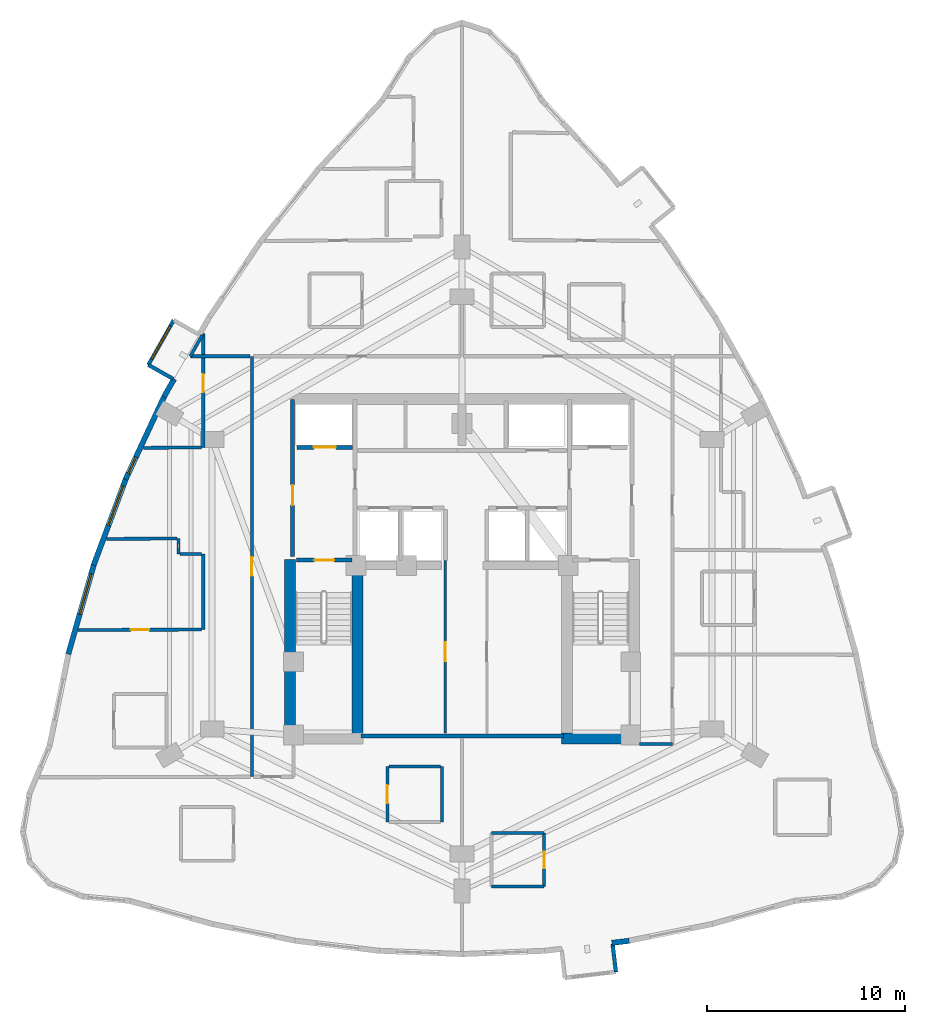
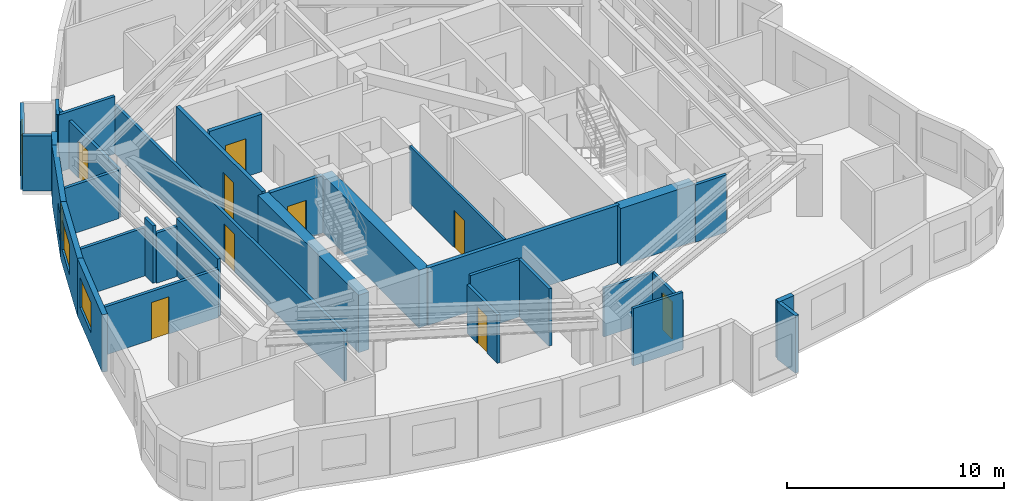
# One storey, part 7 of 12: 33 walls, 9 doors, 4 windows, 13 openings.
"""IFC4 building model written with IfcOpenShell, lengths in metres."""

from ifc_helpers import new_model, si_unit, direction, frame, frame_2d, origin, place, context, subcontext, project, spatial, rectangle, extrude, material, layer, layer_set, type_object, element, fill, save


model = new_model("IFC4")

# Units and contexts
model_context = context("Model", 3, precision=1e-05, world=origin(), true_north=direction((0.0, 1.0)))
body_context = subcontext(model_context, "Body", "Model", "MODEL_VIEW")
ifc_project = project(units=[si_unit("LENGTHUNIT", "METRE"), si_unit("AREAUNIT", "SQUARE_METRE"), si_unit("VOLUMEUNIT", "CUBIC_METRE"), si_unit("PLANEANGLEUNIT", "RADIAN"), si_unit("MASSUNIT", "GRAM", prefix="KILO")], contexts=[model_context])

# Site, building, storey
site_placement = place(None, origin())
site = spatial("IfcSite", under=ifc_project, at=site_placement, CompositionType="ELEMENT")
building_placement = place(site_placement, origin())
building = spatial("IfcBuilding", under=site, at=building_placement, Name="Miruveldt Soraemaru", CompositionType="ELEMENT")
storey_placement = place(building_placement, frame((0.0, 0.0, 110.89990234375)))
storey = spatial("IfcBuildingStorey", under=building, at=storey_placement, Name="L30", CompositionType="ELEMENT", Elevation=110.89990234375)

# Wall
ifc_material_1 = material(Name="White powder-coated aluminium EN AW-6060 T6", Category="aluminium")
ifc_layer_1 = layer(ifc_material_1, 0.18994140625, Name="White powder-coated aluminium EN AW-6060 T6", Category="aluminium")
ifc_layer_set_1 = layer_set([ifc_layer_1], Name="White powder-coated aluminium EN AW-6060 T6")
wall_type_1 = type_object("IfcWallType", Name="WALL-BAY-ALU190", PredefinedType="SOLIDWALL", material=ifc_layer_set_1)
wall_1_placement = place(storey_placement, frame((28.179931640625, 54.162109375, 0.0), z_axis=(0.0, 0.0, 1.0), x_axis=(0.869914393652, -0.493202745042, 0.0)))
element("IfcWall", 1, at=wall_1_placement, inside=storey, type_object=wall_type_1, Name="L30 Bay Window Side Cheek 4R", PredefinedType="SOLIDWALL", context=body_context, shape_type="SweptSolid", body=[
    extrude(rectangle(XDim=1.425048828125, YDim=0.18994140625, at=frame_2d((0.71240234375, 0.0))), origin(), (0.0, 0.0, 1.0), 3.085205078125),
])

# Wall, opening, window
wall_2_placement = place(storey_placement, frame((29.462646484375, 56.423828125, 0.0), z_axis=(0.0, 0.0, 1.0), x_axis=(-0.493325260824, -0.869844921255, 0.0)))
wall_2 = element("IfcWall", 2, at=wall_2_placement, inside=storey, type_object=wall_type_1, Name="L30 Bay Window Front Frame 4", PredefinedType="SOLIDWALL", context=body_context, shape_type="SweptSolid", body=[
    extrude(rectangle(XDim=2.60009765625, YDim=0.18994140625, at=frame_2d((1.300048828125, 0.0))), origin(), (0.0, 0.0, 1.0), 3.085205078125),
])
opening_1_placement = place(wall_2_placement, frame((0.35009765625, 0.0, 0.550048828125)))
opening_1 = element("IfcOpeningElement", 3, at=opening_1_placement, cuts=wall_2, Name="Opening WN-6", PredefinedType="OPENING", context=body_context, shape_type="SweptSolid", body=[
    extrude(rectangle(XDim=1.89990234375, YDim=1.85009765625, at=frame_2d((0.949951171875, 0.925048828125))), frame((0.0, 0.10498046875, 0.0), z_axis=(0.0, -1.0, 0.0), x_axis=(1.0, 0.0, 0.0)), (0.0, 0.0, 1.0), 0.2099609375),
])
ifc_material_2 = material(Name="Triple low-e insulated glazing", Category="glass")
window_type_1 = type_object("IfcWindowType", Name="WIN-BAYW-1900x1850", PartitioningType="SINGLE_PANEL", PredefinedType="WINDOW", material=ifc_material_2)
window_1_placement = place(opening_1_placement, origin())
window_1 = element("IfcWindow", 4, at=window_1_placement, inside=storey, type_object=window_type_1, Name="L30 Projecting Bay Window 4", OverallHeight=1.85009765625, OverallWidth=1.89990234375, PartitioningType="SINGLE_PANEL", PredefinedType="WINDOW", context=body_context, shape_type="SweptSolid", body=[
    extrude(rectangle(XDim=1.89990234375, YDim=1.85009765625, at=frame_2d((0.949951171875, 0.925048828125))), frame((0.0, 0.030029296875, 0.0), z_axis=(0.0, -1.0, 0.0), x_axis=(1.0, 0.0, 0.0)), (0.0, 0.0, 1.0), 0.06005859375),
])
fill(opening_1, window_1)

# Walls
wall_3_placement = place(storey_placement, frame((51.755615234375, 23.561279296875, 0.0), z_axis=(0.0, 0.0, 1.0), x_axis=(-0.119057405757, 0.992887372331, 0.0)))
element("IfcWall", 5, at=wall_3_placement, inside=storey, type_object=wall_type_1, Name="L30 Bay Window Side Cheek 1R", PredefinedType="SOLIDWALL", context=body_context, shape_type="SweptSolid", body=[
    extrude(rectangle(XDim=1.42529296875, YDim=0.18994140625, at=frame_2d((0.712646484375, 0.0))), origin(), (0.0, 0.0, 1.0), 3.235107421875),
])
ifc_material_3 = material(Name="Concrete C70/85 (70 MPa)", Category="concrete")
ifc_layer_2 = layer(ifc_material_3, 0.550048828125, Name="Concrete C70/85 (70 MPa)", Category="concrete")
ifc_layer_set_2 = layer_set([ifc_layer_2], Name="Concrete C70/85 (70 MPa)")
wall_type_2 = type_object("IfcWallType", Name="WALL-CW-550", PredefinedType="SHEAR", material=ifc_layer_set_2)
wall_4_placement = place(storey_placement, frame((49.0, 35.324951171875, 0.0), z_axis=(0.0, 0.0, 1.0), x_axis=(1.0, 0.0, 0.0)))
element("IfcWall", 6, at=wall_4_placement, inside=storey, type_object=wall_type_2, Name="L30 Central Core Shear Wall S2", PredefinedType="SHEAR", context=body_context, shape_type="SweptSolid", body=[
    extrude(rectangle(XDim=3.949951171875, YDim=0.550048828125, at=frame_2d((1.97509765625, 0.0))), origin(), (0.0, 0.0, 1.0), 3.235107421875),
])
wall_5_placement = place(storey_placement, frame((35.324951171875, 35.050048828125, 0.0), z_axis=(0.0, 0.0, 1.0), x_axis=(0.0, 1.0, 0.0)))
element("IfcWall", 7, at=wall_5_placement, inside=storey, type_object=wall_type_2, Name="L30 Central Core Shear Wall W1", PredefinedType="SHEAR", context=body_context, shape_type="SweptSolid", body=[
    extrude(rectangle(XDim=9.300048828125, YDim=0.550048828125, at=frame_2d((4.64990234375, 0.0))), origin(), (0.0, 0.0, 1.0), 3.235107421875),
])
wall_6_placement = place(storey_placement, frame((38.72509765625, 35.39990234375, 0.0), z_axis=(0.0, 0.0, 1.0), x_axis=(0.0, 1.0, 0.0)))
element("IfcWall", 8, at=wall_6_placement, inside=storey, type_object=wall_type_2, Name="L30 Central Core Shear Wall SW-INT", PredefinedType="SHEAR", context=body_context, shape_type="SweptSolid", body=[
    extrude(rectangle(XDim=8.9501953125, YDim=0.550048828125, at=frame_2d((4.47509765625, 0.0))), origin(), (0.0, 0.0, 1.0), 3.235107421875),
])
ifc_material_4 = material(Name="Precast concrete C45/55 (45 MPa)", Category="concrete")
ifc_layer_3 = layer(ifc_material_4, 0.27001953125, Name="Precast concrete C45/55 (45 MPa)", Category="concrete")
ifc_layer_set_3 = layer_set([ifc_layer_3], Name="Precast concrete C45/55 (45 MPa)")
wall_type_3 = type_object("IfcWallType", Name="WALL-EXT-PC270", PredefinedType="SOLIDWALL", material=ifc_layer_set_3)
wall_7_placement = place(storey_placement, frame((29.482177734375, 53.458251953125, 0.0), z_axis=(0.0, 0.0, 1.0), x_axis=(-0.493468236587, -0.869763818217, 0.0)))
element("IfcWall", 9, at=wall_7_placement, inside=storey, type_object=wall_type_3, Name="L30 Precast Pier Wall 10B", PredefinedType="SOLIDWALL", context=body_context, shape_type="SweptSolid", body=[
    extrude(rectangle(XDim=1.05419921875, YDim=0.27001953125, at=frame_2d((0.527099609375, 0.0))), origin(), (0.0, 0.0, 1.0), 3.235107421875),
])

# Wall, opening, window
wall_8_placement = place(storey_placement, frame((28.994140625, 52.603271484375, 0.0), z_axis=(0.0, 0.0, 1.0), x_axis=(-0.422316092013, -0.906448629778, 0.0)))
wall_8 = element("IfcWall", 10, at=wall_8_placement, inside=storey, type_object=wall_type_3, Name="L30 Precast Concrete Facade Wall 11", PredefinedType="SOLIDWALL", context=body_context, shape_type="SweptSolid", body=[
    extrude(rectangle(XDim=4.6484375, YDim=0.27001953125, at=frame_2d((2.32421875, 0.0))), origin(), (0.0, 0.0, 1.0), 3.235107421875),
])
opening_2_placement = place(wall_8_placement, frame((3.407958984375, 0.0, 0.780029296875)))
opening_2 = element("IfcOpeningElement", 11, at=opening_2_placement, cuts=wall_8, Name="Opening WN-7", PredefinedType="OPENING", context=body_context, shape_type="SweptSolid", body=[
    extrude(rectangle(XDim=0.89990234375, YDim=1.5, at=frame_2d((0.449951171875, 0.75))), frame((0.0, 0.14501953125, 0.0), z_axis=(0.0, -1.0, 0.0), x_axis=(1.0, 0.0, 0.0)), (0.0, 0.0, 1.0), 0.2900390625),
])
window_type_2 = type_object("IfcWindowType", Name="WIN-PUNCH-900x1500", PartitioningType="SINGLE_PANEL", PredefinedType="WINDOW", material=ifc_material_2)
window_2_placement = place(opening_2_placement, origin())
window_2 = element("IfcWindow", 12, at=window_2_placement, inside=storey, type_object=window_type_2, Name="L30 Punched Triple-Glazed Window 11.1", OverallHeight=1.5, OverallWidth=0.89990234375, PartitioningType="SINGLE_PANEL", PredefinedType="WINDOW", context=body_context, shape_type="SweptSolid", body=[
    extrude(rectangle(XDim=0.89990234375, YDim=1.5, at=frame_2d((0.449951171875, 0.75))), frame((0.0, 0.030029296875, 0.0), z_axis=(0.0, -1.0, 0.0), x_axis=(1.0, 0.0, 0.0)), (0.0, 0.0, 1.0), 0.06005859375),
])
fill(opening_2, window_2)

wall_9_placement = place(storey_placement, frame((27.057861328125, 48.4541015625, 0.0), z_axis=(0.0, 0.0, 1.0), x_axis=(-0.34901196631, -0.937118267548, 0.0)))
wall_9 = element("IfcWall", 13, at=wall_9_placement, inside=storey, type_object=wall_type_3, Name="L30 Precast Concrete Facade Wall 12", PredefinedType="SOLIDWALL", context=body_context, shape_type="SweptSolid", body=[
    extrude(rectangle(XDim=4.677734375, YDim=0.27001953125, at=frame_2d((2.3388671875, 0.0))), origin(), (0.0, 0.0, 1.0), 3.235107421875),
])
opening_3_placement = place(wall_9_placement, frame((0.43798828125, 0.0, 0.800048828125)))
opening_3 = element("IfcOpeningElement", 14, at=opening_3_placement, cuts=wall_9, Name="Opening WN-1", PredefinedType="OPENING", context=body_context, shape_type="SweptSolid", body=[
    extrude(rectangle(XDim=2.10009765625, YDim=1.699951171875, at=frame_2d((1.050048828125, 0.85009765625))), frame((0.0, 0.14501953125, 0.0), z_axis=(0.0, -1.0, 0.0), x_axis=(1.0, 0.0, 0.0)), (0.0, 0.0, 1.0), 0.2900390625),
])
window_type_3 = type_object("IfcWindowType", Name="WIN-PUNCH-2100x1700", PartitioningType="SINGLE_PANEL", PredefinedType="WINDOW", material=ifc_material_2)
window_3_placement = place(opening_3_placement, origin())
window_3 = element("IfcWindow", 15, at=window_3_placement, inside=storey, type_object=window_type_3, Name="L30 Punched Triple-Glazed Window 12.1", OverallHeight=1.699951171875, OverallWidth=2.10009765625, PartitioningType="SINGLE_PANEL", PredefinedType="WINDOW", context=body_context, shape_type="SweptSolid", body=[
    extrude(rectangle(XDim=2.10009765625, YDim=1.699951171875, at=frame_2d((1.050048828125, 0.85009765625))), frame((0.0, 0.030029296875, 0.0), z_axis=(0.0, -1.0, 0.0), x_axis=(1.0, 0.0, 0.0)), (0.0, 0.0, 1.0), 0.06005859375),
])
fill(opening_3, window_3)

wall_10_placement = place(storey_placement, frame((25.447021484375, 44.13720703125, 0.0), z_axis=(0.0, 0.0, 1.0), x_axis=(-0.274932196805, -0.961463617179, 0.0)))
wall_10 = element("IfcWall", 16, at=wall_10_placement, inside=storey, type_object=wall_type_3, Name="L30 Precast Concrete Facade Wall 13", PredefinedType="SOLIDWALL", context=body_context, shape_type="SweptSolid", body=[
    extrude(rectangle(XDim=4.73583984375, YDim=0.27001953125, at=frame_2d((2.367919921875, 0.0))), origin(), (0.0, 0.0, 1.0), 3.235107421875),
])
opening_4_placement = place(wall_10_placement, frame((0.5439453125, 0.0, 0.800048828125)))
opening_4 = element("IfcOpeningElement", 17, at=opening_4_placement, cuts=wall_10, Name="Opening WN-1", PredefinedType="OPENING", context=body_context, shape_type="SweptSolid", body=[
    extrude(rectangle(XDim=2.10009765625, YDim=1.699951171875, at=frame_2d((1.050048828125, 0.85009765625))), frame((0.0, 0.14501953125, 0.0), z_axis=(0.0, -1.0, 0.0), x_axis=(1.0, 0.0, 0.0)), (0.0, 0.0, 1.0), 0.2900390625),
])
window_4_placement = place(opening_4_placement, origin())
window_4 = element("IfcWindow", 18, at=window_4_placement, inside=storey, type_object=window_type_3, Name="L30 Punched Triple-Glazed Window 13.1", OverallHeight=1.699951171875, OverallWidth=2.10009765625, PartitioningType="SINGLE_PANEL", PredefinedType="WINDOW", context=body_context, shape_type="SweptSolid", body=[
    extrude(rectangle(XDim=2.10009765625, YDim=1.699951171875, at=frame_2d((1.050048828125, 0.85009765625))), frame((0.0, 0.030029296875, 0.0), z_axis=(0.0, -1.0, 0.0), x_axis=(1.0, 0.0, 0.0)), (0.0, 0.0, 1.0), 0.06005859375),
])
fill(opening_4, window_4)

# Wall
wall_11_placement = place(storey_placement, frame((51.549560546875, 25.02734375, 0.0), z_axis=(0.0, 0.0, 1.0), x_axis=(0.992866288906, 0.119233100912, 0.0)))
element("IfcWall", 19, at=wall_11_placement, inside=storey, type_object=wall_type_3, Name="L30 Precast Pier Wall 26B", PredefinedType="SOLIDWALL", context=body_context, shape_type="SweptSolid", body=[
    extrude(rectangle(XDim=0.87646484375, YDim=0.27001953125, at=frame_2d((0.438232421875, 0.0))), origin(), (0.0, 0.0, 1.0), 3.235107421875),
])

# Wall, opening, door
ifc_material_5 = material(Name="Gypsum plasterboard lining", Category="gypsum")
ifc_layer_4 = layer(ifc_material_5, 0.1201171875, Name="Gypsum plasterboard lining", Category="gypsum")
ifc_layer_set_4 = layer_set([ifc_layer_4], Name="Gypsum plasterboard lining")
wall_type_4 = type_object("IfcWallType", Name="WALL-INT-P120", PredefinedType="PARTITIONING", material=ifc_layer_set_4)
wall_12_placement = place(storey_placement, frame((43.14990234375, 35.60009765625, 0.0), z_axis=(0.0, 0.0, 1.0), x_axis=(0.0, 1.0, 0.0)))
wall_12 = element("IfcWall", 20, at=wall_12_placement, inside=storey, type_object=wall_type_4, Name="L30 Core Compartment Wall SP-WL", PredefinedType="PARTITIONING", context=body_context, shape_type="SweptSolid", body=[
    extrude(rectangle(XDim=8.699951171875, YDim=0.1201171875, at=frame_2d((4.35009765625, 0.0))), origin(), (0.0, 0.0, 1.0), 3.235107421875),
])
opening_5_placement = place(wall_12_placement, frame((3.625, 0.0, 0.0)))
opening_5 = element("IfcOpeningElement", 21, at=opening_5_placement, cuts=wall_12, Name="Opening D2", PredefinedType="OPENING", context=body_context, shape_type="SweptSolid", body=[
    extrude(rectangle(XDim=0.949951171875, YDim=2.10009765625, at=frame_2d((0.47509765625, 1.050048828125))), frame((0.0, 0.070068359375, 0.0), z_axis=(0.0, -1.0, 0.0), x_axis=(1.0, 0.0, 0.0)), (0.0, 0.0, 1.0), 0.14013671875),
])
ifc_material_6 = material(Name="Anodised aluminium EN AW-6063 T6", Category="aluminium")
door_type_1 = type_object("IfcDoorType", Name="DOOR-INT-950", OperationType="NOTDEFINED", PredefinedType="DOOR", material=ifc_material_6)
door_1_placement = place(opening_5_placement, origin())
door_1 = element("IfcDoor", 22, at=door_1_placement, inside=storey, type_object=door_type_1, Name="L30 Fire Door", OperationType="SINGLE_SWING_LEFT", OverallHeight=2.10009765625, OverallWidth=0.949951171875, PredefinedType="DOOR", context=body_context, shape_type="SweptSolid", body=[
    extrude(rectangle(XDim=0.949951171875, YDim=2.10009765625, at=frame_2d((0.47509765625, 1.050048828125))), frame((0.0, 0.02490234375, 0.0), z_axis=(0.0, -1.0, 0.0), x_axis=(1.0, 0.0, 0.0)), (0.0, 0.0, 1.0), 0.050048828125),
])
fill(opening_5, door_1)

ifc_layer_5 = layer(ifc_material_5, 0.14990234375, Name="Gypsum plasterboard lining", Category="gypsum")
ifc_layer_set_5 = layer_set([ifc_layer_5], Name="Gypsum plasterboard lining")
wall_type_5 = type_object("IfcWallType", Name="WALL-INT-PLUMB", PredefinedType="PLUMBINGWALL", material=ifc_layer_set_5)
wall_13_placement = place(storey_placement, frame((48.1298828125, 27.868896484375, 0.0), z_axis=(0.0, 0.0, 1.0), x_axis=(0.0, 1.0, 0.0)))
wall_13 = element("IfcWall", 23, at=wall_13_placement, inside=storey, type_object=wall_type_5, Name="L30 Partition Wall 49", PredefinedType="PLUMBINGWALL", context=body_context, shape_type="SweptSolid", body=[
    extrude(rectangle(XDim=2.7001953125, YDim=0.14990234375, at=frame_2d((1.35009765625, 0.0))), origin(), (0.0, 0.0, 1.0), 2.72314453125),
])
opening_6_placement = place(wall_13_placement, frame((0.909912109375, 0.0, 0.0)))
opening_6 = element("IfcOpeningElement", 24, at=opening_6_placement, cuts=wall_13, Name="Opening FD3", PredefinedType="OPENING", context=body_context, shape_type="SweptSolid", body=[
    extrude(rectangle(XDim=0.85009765625, YDim=2.10009765625, at=frame_2d((0.425048828125, 1.050048828125))), frame((0.0, 0.0849609375, 0.0), z_axis=(0.0, -1.0, 0.0), x_axis=(1.0, 0.0, 0.0)), (0.0, 0.0, 1.0), 0.169921875),
])
door_type_2 = type_object("IfcDoorType", Name="DOOR-FD3-850", OperationType="NOTDEFINED", PredefinedType="DOOR", material=ifc_material_6)
door_2_placement = place(opening_6_placement, origin())
door_2 = element("IfcDoor", 25, at=door_2_placement, inside=storey, type_object=door_type_2, Name="L30 Unit CL04 BTH Door", OperationType="SINGLE_SWING_LEFT", OverallHeight=2.10009765625, OverallWidth=0.85009765625, PredefinedType="DOOR", context=body_context, shape_type="SweptSolid", body=[
    extrude(rectangle(XDim=0.85009765625, YDim=2.10009765625, at=frame_2d((0.425048828125, 1.050048828125))), frame((0.0, 0.02490234375, 0.0), z_axis=(0.0, -1.0, 0.0), x_axis=(1.0, 0.0, 0.0)), (0.0, 0.0, 1.0), 0.050048828125),
])
fill(opening_6, door_2)

# Walls
wall_14_placement = place(storey_placement, frame((48.1298828125, 30.569091796875, 0.0), z_axis=(0.0, 0.0, 1.0), x_axis=(-1.0, 0.0, 0.0)))
element("IfcWall", 26, at=wall_14_placement, inside=storey, type_object=wall_type_5, Name="L30 Partition Wall 50", PredefinedType="PLUMBINGWALL", context=body_context, shape_type="SweptSolid", body=[
    extrude(rectangle(XDim=2.64990234375, YDim=0.14990234375, at=frame_2d((1.324951171875, 0.0))), origin(), (0.0, 0.0, 1.0), 2.735107421875),
])
wall_15_placement = place(storey_placement, frame((45.47998046875, 27.868896484375, 0.0), z_axis=(0.0, 0.0, 1.0), x_axis=(1.0, 0.0, 0.0)))
element("IfcWall", 27, at=wall_15_placement, inside=storey, type_object=wall_type_5, Name="L30 Partition Wall 52", PredefinedType="PLUMBINGWALL", context=body_context, shape_type="SweptSolid", body=[
    extrude(rectangle(XDim=2.64990234375, YDim=0.14990234375, at=frame_2d((1.324951171875, 0.0))), origin(), (0.0, 0.0, 1.0), 3.235107421875),
])

# Wall, opening, door
ifc_material_7 = material(Name="Concrete C40/50 (40 MPa)", Category="concrete")
ifc_layer_6 = layer(ifc_material_7, 0.159912109375, Name="Concrete C40/50 (40 MPa)", Category="concrete")
ifc_layer_set_6 = layer_set([ifc_layer_6], Name="Concrete C40/50 (40 MPa)")
wall_type_6 = type_object("IfcWallType", Name="WALL-INT-RC160", PredefinedType="SOLIDWALL", material=ifc_layer_set_6)
wall_16_placement = place(storey_placement, frame((33.39990234375, 54.595947265625, 0.0), z_axis=(0.0, 0.0, 1.0), x_axis=(0.0, -1.0, 0.0)))
wall_16 = element("IfcWall", 28, at=wall_16_placement, inside=storey, type_object=wall_type_6, Name="L30 Partition Wall 3", PredefinedType="SOLIDWALL", context=body_context, shape_type="SweptSolid", body=[
    extrude(rectangle(XDim=21.19189453125, YDim=0.159912109375, at=frame_2d((10.595947265625, 0.0))), origin(), (0.0, 0.0, 1.0), 2.72314453125),
])
opening_7_placement = place(wall_16_placement, frame((10.12109375, 0.0, 0.0)))
opening_7 = element("IfcOpeningElement", 29, at=opening_7_placement, cuts=wall_16, Name="Opening FD2", PredefinedType="OPENING", context=body_context, shape_type="SweptSolid", body=[
    extrude(rectangle(XDim=0.949951171875, YDim=2.14990234375, at=frame_2d((0.47509765625, 1.074951171875))), frame((0.0, 0.08984375, 0.0), z_axis=(0.0, -1.0, 0.0), x_axis=(1.0, 0.0, 0.0)), (0.0, 0.0, 1.0), 0.179931640625),
])
door_type_3 = type_object("IfcDoorType", Name="DOOR-FD2-950", OperationType="NOTDEFINED", PredefinedType="DOOR", material=ifc_material_6)
door_3_placement = place(opening_7_placement, origin())
door_3 = element("IfcDoor", 30, at=door_3_placement, inside=storey, type_object=door_type_3, Name="L30 Unit 3003 Entrance Fire Door", OperationType="SINGLE_SWING_RIGHT", OverallHeight=2.14990234375, OverallWidth=0.949951171875, PredefinedType="DOOR", context=body_context, shape_type="SweptSolid", body=[
    extrude(rectangle(XDim=0.949951171875, YDim=2.14990234375, at=frame_2d((0.47509765625, 1.074951171875))), frame((0.0, 0.02490234375, 0.0), z_axis=(0.0, -1.0, 0.0), x_axis=(1.0, 0.0, 0.0)), (0.0, 0.0, 1.0), 0.050048828125),
])
fill(opening_7, door_3)

wall_17_placement = place(storey_placement, frame((30.8701171875, 40.820068359375, 0.0), z_axis=(0.0, 0.0, 1.0), x_axis=(-0.999995315221, -0.003060969884, 0.0)))
wall_17 = element("IfcWall", 31, at=wall_17_placement, inside=storey, type_object=wall_type_6, Name="L30 Partition Wall 45", PredefinedType="SOLIDWALL", context=body_context, shape_type="SweptSolid", body=[
    extrude(rectangle(XDim=6.22119140625, YDim=0.159912109375, at=frame_2d((3.110595703125, 0.0))), origin(), (0.0, 0.0, 1.0), 2.72314453125),
])
opening_8_placement = place(wall_17_placement, frame((2.65087890625, 0.0, 0.0)))
opening_8 = element("IfcOpeningElement", 32, at=opening_8_placement, cuts=wall_17, Name="Opening D3A", PredefinedType="OPENING", context=body_context, shape_type="SweptSolid", body=[
    extrude(rectangle(XDim=0.919921875, YDim=2.10009765625, at=frame_2d((0.4599609375, 1.050048828125))), frame((0.0, 0.08984375, 0.0), z_axis=(0.0, -1.0, 0.0), x_axis=(1.0, 0.0, 0.0)), (0.0, 0.0, 1.0), 0.179931640625),
])
door_type_4 = type_object("IfcDoorType", Name="DOOR-INT-920", OperationType="NOTDEFINED", PredefinedType="DOOR", material=ifc_material_6)
door_4_placement = place(opening_8_placement, origin())
door_4 = element("IfcDoor", 33, at=door_4_placement, inside=storey, type_object=door_type_4, Name="L30 Unit 3003 BD1 Door", OperationType="SINGLE_SWING_RIGHT", OverallHeight=2.10009765625, OverallWidth=0.919921875, PredefinedType="DOOR", context=body_context, shape_type="SweptSolid", body=[
    extrude(rectangle(XDim=0.919921875, YDim=2.10009765625, at=frame_2d((0.4599609375, 1.050048828125))), frame((0.0, 0.02490234375, 0.0), z_axis=(0.0, -1.0, 0.0), x_axis=(1.0, 0.0, 0.0)), (0.0, 0.0, 1.0), 0.050048828125),
])
fill(opening_8, door_4)

wall_18_placement = place(storey_placement, frame((30.949951171875, 55.741943359375, 0.0), z_axis=(0.0, 0.0, 1.0), x_axis=(0.0, -1.0, 0.0)))
wall_18 = element("IfcWall", 34, at=wall_18_placement, inside=storey, type_object=wall_type_6, Name="L30 Partition Wall 46", PredefinedType="SOLIDWALL", context=body_context, shape_type="SweptSolid", body=[
    extrude(rectangle(XDim=5.73486328125, YDim=0.159912109375, at=frame_2d((2.867431640625, 0.0))), origin(), (0.0, 0.0, 1.0), 2.72314453125),
])
opening_9_placement = place(wall_18_placement, frame((2.047119140625, 0.0, 0.0)))
opening_9 = element("IfcOpeningElement", 35, at=opening_9_placement, cuts=wall_18, Name="Opening D3A", PredefinedType="OPENING", context=body_context, shape_type="SweptSolid", body=[
    extrude(rectangle(XDim=0.919921875, YDim=2.10009765625, at=frame_2d((0.4599609375, 1.050048828125))), frame((0.0, 0.08984375, 0.0), z_axis=(0.0, -1.0, 0.0), x_axis=(1.0, 0.0, 0.0)), (0.0, 0.0, 1.0), 0.179931640625),
])
door_5_placement = place(opening_9_placement, origin())
door_5 = element("IfcDoor", 36, at=door_5_placement, inside=storey, type_object=door_type_4, Name="L30 Unit 3003 EXT Door", OperationType="SINGLE_SWING_LEFT", OverallHeight=2.10009765625, OverallWidth=0.919921875, PredefinedType="DOOR", context=body_context, shape_type="SweptSolid", body=[
    extrude(rectangle(XDim=0.919921875, YDim=2.10009765625, at=frame_2d((0.4599609375, 1.050048828125))), frame((0.0, 0.02490234375, 0.0), z_axis=(0.0, -1.0, 0.0), x_axis=(1.0, 0.0, 0.0)), (0.0, 0.0, 1.0), 0.050048828125),
])
fill(opening_9, door_5)

wall_19_placement = place(storey_placement, frame((40.23193359375, 33.9189453125, 0.0), z_axis=(0.0, 0.0, 1.0), x_axis=(0.0, -1.0, 0.0)))
wall_19 = element("IfcWall", 37, at=wall_19_placement, inside=storey, type_object=wall_type_6, Name="L30 Partition Wall 72", PredefinedType="SOLIDWALL", context=body_context, shape_type="SweptSolid", body=[
    extrude(rectangle(XDim=2.800048828125, YDim=0.159912109375, at=frame_2d((1.39990234375, 0.0))), origin(), (0.0, 0.0, 1.0), 2.735107421875),
])
opening_10_placement = place(wall_19_placement, frame((0.93994140625, 0.0, 0.0)))
opening_10 = element("IfcOpeningElement", 38, at=opening_10_placement, cuts=wall_19, Name="Opening D3A", PredefinedType="OPENING", context=body_context, shape_type="SweptSolid", body=[
    extrude(rectangle(XDim=0.919921875, YDim=2.10009765625, at=frame_2d((0.4599609375, 1.050048828125))), frame((0.0, 0.08984375, 0.0), z_axis=(0.0, -1.0, 0.0), x_axis=(1.0, 0.0, 0.0)), (0.0, 0.0, 1.0), 0.179931640625),
])
door_6_placement = place(opening_10_placement, origin())
door_6 = element("IfcDoor", 39, at=door_6_placement, inside=storey, type_object=door_type_4, Name="L30 Unit CL06 KIT Door", OperationType="SINGLE_SWING_RIGHT", OverallHeight=2.10009765625, OverallWidth=0.919921875, PredefinedType="DOOR", context=body_context, shape_type="SweptSolid", body=[
    extrude(rectangle(XDim=0.919921875, YDim=2.10009765625, at=frame_2d((0.4599609375, 1.050048828125))), frame((0.0, 0.02490234375, 0.0), z_axis=(0.0, -1.0, 0.0), x_axis=(1.0, 0.0, 0.0)), (0.0, 0.0, 1.0), 0.050048828125),
])
fill(opening_10, door_6)

# Walls
wall_20_placement = place(storey_placement, frame((30.949951171875, 44.6298828125, 0.0), z_axis=(0.0, 0.0, 1.0), x_axis=(0.0, -1.0, 0.0)))
element("IfcWall", 40, at=wall_20_placement, inside=storey, type_object=wall_type_6, Name="L30 Partition Wall 44", PredefinedType="SOLIDWALL", context=body_context, shape_type="SweptSolid", body=[
    extrude(rectangle(XDim=3.809814453125, YDim=0.159912109375, at=frame_2d((1.90478515625, 0.0))), origin(), (0.0, 0.0, 1.0), 3.235107421875),
])
wall_21_placement = place(storey_placement, frame((26.075927734375, 45.388916015625, 0.0), z_axis=(0.0, 0.0, 1.0), x_axis=(0.999978549982, 0.006549776768, 0.0)))
element("IfcWall", 41, at=wall_21_placement, inside=storey, type_object=wall_type_6, Name="L30 Partition Wall 41", PredefinedType="SOLIDWALL", context=body_context, shape_type="SweptSolid", body=[
    extrude(rectangle(XDim=3.541015625, YDim=0.159912109375, at=frame_2d((1.7705078125, 0.0))), origin(), (0.0, 0.0, 1.0), 2.72314453125),
])
wall_22_placement = place(storey_placement, frame((30.302001953125, 54.60009765625, 0.0), z_axis=(0.0, 0.0, 1.0), x_axis=(1.0, 0.0, 0.0)))
element("IfcWall", 42, at=wall_22_placement, inside=storey, type_object=wall_type_6, Name="L30 Partition Wall 21", PredefinedType="SOLIDWALL", context=body_context, shape_type="SweptSolid", body=[
    extrude(rectangle(XDim=3.013916015625, YDim=0.159912109375, at=frame_2d((1.5068359375, 0.0))), origin(), (0.0, 0.0, 1.0), 3.235107421875),
])
wall_23_placement = place(storey_placement, frame((30.8701171875, 50.006103515625, 0.0), z_axis=(0.0, 0.0, 1.0), x_axis=(-0.999954220456, -0.0095685418, 0.0)))
element("IfcWall", 43, at=wall_23_placement, inside=storey, type_object=wall_type_6, Name="L30 Partition Wall 47", PredefinedType="SOLIDWALL", context=body_context, shape_type="SweptSolid", body=[
    extrude(rectangle(XDim=2.934326171875, YDim=0.159912109375, at=frame_2d((1.46728515625, 0.0))), origin(), (0.0, 0.0, 1.0), 2.72314453125),
])
wall_24_placement = place(storey_placement, frame((42.98193359375, 31.118896484375, 0.0), z_axis=(0.0, 0.0, 1.0), x_axis=(0.0, 1.0, 0.0)))
element("IfcWall", 44, at=wall_24_placement, inside=storey, type_object=wall_type_6, Name="L30 Partition Wall 70", PredefinedType="SOLIDWALL", context=body_context, shape_type="SweptSolid", body=[
    extrude(rectangle(XDim=2.800048828125, YDim=0.159912109375, at=frame_2d((1.39990234375, 0.0))), origin(), (0.0, 0.0, 1.0), 3.235107421875),
])
wall_25_placement = place(storey_placement, frame((42.902099609375, 33.9189453125, 0.0), z_axis=(0.0, 0.0, 1.0), x_axis=(-1.0, 0.0, 0.0)))
element("IfcWall", 45, at=wall_25_placement, inside=storey, type_object=wall_type_6, Name="L30 Partition Wall 71", PredefinedType="SOLIDWALL", context=body_context, shape_type="SweptSolid", body=[
    extrude(rectangle(XDim=2.590087890625, YDim=0.159912109375, at=frame_2d((1.294921875, 0.0))), origin(), (0.0, 0.0, 1.0), 3.235107421875),
])
wall_26_placement = place(storey_placement, frame((52.946044921875, 35.050048828125, 0.0), z_axis=(0.0, 0.0, 1.0), x_axis=(1.0, 0.0, 0.0)))
element("IfcWall", 46, at=wall_26_placement, inside=storey, type_object=wall_type_6, Name="L30 Partition Wall 4", PredefinedType="SOLIDWALL", context=body_context, shape_type="SweptSolid", body=[
    extrude(rectangle(XDim=1.654052734375, YDim=0.159912109375, at=frame_2d((0.8271484375, 0.0))), origin(), (0.0, 0.0, 1.0), 3.235107421875),
])
wall_27_placement = place(storey_placement, frame((30.302001953125, 54.60009765625, 0.0), z_axis=(0.0, 0.0, 1.0), x_axis=(0.488591203774, 0.872512828326, 0.0)))
element("IfcWall", 47, at=wall_27_placement, inside=storey, type_object=wall_type_6, Name="L30 Partition Closure Return 1", PredefinedType="SOLIDWALL", context=body_context, shape_type="SweptSolid", body=[
    extrude(rectangle(XDim=1.22216796875, YDim=0.159912109375, at=frame_2d((0.611083984375, 0.0))), origin(), (0.0, 0.0, 1.0), 3.235107421875),
])
wall_28_placement = place(storey_placement, frame((29.777099609375, 44.6298828125, 0.0), z_axis=(0.0, 0.0, 1.0), x_axis=(1.0, 0.0, 0.0)))
element("IfcWall", 48, at=wall_28_placement, inside=storey, type_object=wall_type_6, Name="L30 Partition Wall 43", PredefinedType="SOLIDWALL", context=body_context, shape_type="SweptSolid", body=[
    extrude(rectangle(XDim=1.093017578125, YDim=0.159912109375, at=frame_2d((0.54638671875, 0.0))), origin(), (0.0, 0.0, 1.0), 2.822998046875),
])
wall_29_placement = place(storey_placement, frame((29.697021484375, 45.4130859375, 0.0), z_axis=(0.0, 0.0, 1.0), x_axis=(0.0, -1.0, 0.0)))
element("IfcWall", 49, at=wall_29_placement, inside=storey, type_object=wall_type_6, Name="L30 Partition Wall 42", PredefinedType="SOLIDWALL", context=body_context, shape_type="SweptSolid", body=[
    extrude(rectangle(XDim=0.783203125, YDim=0.159912109375, at=frame_2d((0.3916015625, 0.0))), origin(), (0.0, 0.0, 1.0), 3.235107421875),
])

# Wall, opening, door
ifc_layer_7 = layer(ifc_material_7, 0.199951171875, Name="Concrete C40/50 (40 MPa)", Category="concrete")
ifc_layer_set_7 = layer_set([ifc_layer_7], Name="Concrete C40/50 (40 MPa)")
wall_type_7 = type_object("IfcWallType", Name="WALL-INT-RC200", PredefinedType="SOLIDWALL", material=ifc_layer_set_7)
wall_30_placement = place(storey_placement, frame((35.449951171875, 44.5, 0.0), z_axis=(0.0, 0.0, 1.0), x_axis=(0.0, 1.0, 0.0)))
wall_30 = element("IfcWall", 50, at=wall_30_placement, inside=storey, type_object=wall_type_7, Name="L30 Core Compartment Wall FFW-OUT", PredefinedType="SOLIDWALL", context=body_context, shape_type="SweptSolid", body=[
    extrude(rectangle(XDim=7.919921875, YDim=0.199951171875, at=frame_2d((3.9599609375, 0.0))), origin(), (0.0, 0.0, 1.0), 3.235107421875),
])
opening_11_placement = place(wall_30_placement, frame((2.60009765625, 0.0, 0.0)))
opening_11 = element("IfcOpeningElement", 51, at=opening_11_placement, cuts=wall_30, Name="Opening FD1", PredefinedType="OPENING", context=body_context, shape_type="SweptSolid", body=[
    extrude(rectangle(XDim=1.0, YDim=2.14990234375, at=frame_2d((0.5, 1.074951171875))), frame((0.0, 0.10986328125, 0.0), z_axis=(0.0, -1.0, 0.0), x_axis=(1.0, 0.0, 0.0)), (0.0, 0.0, 1.0), 0.219970703125),
])
door_type_5 = type_object("IfcDoorType", Name="DOOR-FD1-1000", OperationType="NOTDEFINED", PredefinedType="DOOR", material=ifc_material_6)
door_7_placement = place(opening_11_placement, origin())
door_7 = element("IfcDoor", 52, at=door_7_placement, inside=storey, type_object=door_type_5, Name="L30 West Firefighting Lobby Exit Door", OperationType="SINGLE_SWING_LEFT", OverallHeight=2.14990234375, OverallWidth=1.0, PredefinedType="DOOR", context=body_context, shape_type="SweptSolid", body=[
    extrude(rectangle(XDim=1.0, YDim=2.14990234375, at=frame_2d((0.5, 1.074951171875))), frame((0.0, 0.02490234375, 0.0), z_axis=(0.0, -1.0, 0.0), x_axis=(1.0, 0.0, 0.0)), (0.0, 0.0, 1.0), 0.050048828125),
])
fill(opening_11, door_7)

wall_31_placement = place(storey_placement, frame((35.64990234375, 44.320068359375, 0.0), z_axis=(0.0, 0.0, 1.0), x_axis=(1.0, 0.0, 0.0)))
wall_31 = element("IfcWall", 53, at=wall_31_placement, inside=storey, type_object=wall_type_7, Name="L30 Core Compartment Wall ST1-N", PredefinedType="SOLIDWALL", context=body_context, shape_type="SweptSolid", body=[
    extrude(rectangle(XDim=2.800048828125, YDim=0.199951171875, at=frame_2d((1.39990234375, 0.0))), origin(), (0.0, 0.0, 1.0), 3.235107421875),
])
opening_12_placement = place(wall_31_placement, frame((0.89990234375, 0.0, 0.0)))
opening_12 = element("IfcOpeningElement", 54, at=opening_12_placement, cuts=wall_31, Name="Opening FD1", PredefinedType="OPENING", context=body_context, shape_type="SweptSolid", body=[
    extrude(rectangle(XDim=1.0, YDim=2.14990234375, at=frame_2d((0.5, 1.074951171875))), frame((0.0, 0.10986328125, 0.0), z_axis=(0.0, -1.0, 0.0), x_axis=(1.0, 0.0, 0.0)), (0.0, 0.0, 1.0), 0.219970703125),
])
door_8_placement = place(opening_12_placement, frame((1.0, 0.0, 0.0), z_axis=(0.0, 0.0, 1.0), x_axis=(-1.0, 0.0, 0.0)))
door_8 = element("IfcDoor", 55, at=door_8_placement, inside=storey, type_object=door_type_5, Name="L30 Stair ST-1 Fire Door", OperationType="SINGLE_SWING_LEFT", OverallHeight=2.14990234375, OverallWidth=1.0, PredefinedType="DOOR", context=body_context, shape_type="SweptSolid", body=[
    extrude(rectangle(XDim=1.0, YDim=2.14990234375, at=frame_2d((0.5, 1.074951171875))), frame((0.0, 0.02490234375, 0.0), z_axis=(0.0, -1.0, 0.0), x_axis=(1.0, 0.0, 0.0)), (0.0, 0.0, 1.0), 0.050048828125),
])
fill(opening_12, door_8)

wall_32_placement = place(storey_placement, frame((35.679931640625, 50.0, 0.0), z_axis=(0.0, 0.0, 1.0), x_axis=(1.0, 0.0, 0.0)))
wall_32 = element("IfcWall", 56, at=wall_32_placement, inside=storey, type_object=wall_type_7, Name="L30 Core Compartment Wall FFL1-S", PredefinedType="SOLIDWALL", context=body_context, shape_type="SweptSolid", body=[
    extrude(rectangle(XDim=2.800048828125, YDim=0.199951171875, at=frame_2d((1.39990234375, 0.0))), origin(), (0.0, 0.0, 1.0), 3.235107421875),
])
opening_13_placement = place(wall_32_placement, frame((0.85009765625, 0.0, 0.0)))
opening_13 = element("IfcOpeningElement", 57, at=opening_13_placement, cuts=wall_32, Name="Opening LD2", PredefinedType="OPENING", context=body_context, shape_type="SweptSolid", body=[
    extrude(rectangle(XDim=1.10009765625, YDim=2.14990234375, at=frame_2d((0.550048828125, 1.074951171875))), frame((0.0, 0.10986328125, 0.0), z_axis=(0.0, -1.0, 0.0), x_axis=(1.0, 0.0, 0.0)), (0.0, 0.0, 1.0), 0.219970703125),
])
door_type_6 = type_object("IfcDoorType", Name="DOOR-LD2-1100", OperationType="SLIDING_TO_LEFT", PredefinedType="DOOR", material=ifc_material_6)
door_9_placement = place(opening_13_placement, origin())
door_9 = element("IfcDoor", 58, at=door_9_placement, inside=storey, type_object=door_type_6, Name="L30 FFL-1 Landing Door", OperationType="SLIDING_TO_LEFT", OverallHeight=2.14990234375, OverallWidth=1.10009765625, PredefinedType="DOOR", context=body_context, shape_type="SweptSolid", body=[
    extrude(rectangle(XDim=1.10009765625, YDim=2.14990234375, at=frame_2d((0.550048828125, 1.074951171875))), frame((0.0, 0.02490234375, 0.0), z_axis=(0.0, -1.0, 0.0), x_axis=(1.0, 0.0, 0.0)), (0.0, 0.0, 1.0), 0.050048828125),
])
fill(opening_13, door_9)

# Wall
wall_33_placement = place(storey_placement, frame((38.89990234375, 35.449951171875, 0.0), z_axis=(0.0, 0.0, 1.0), x_axis=(1.0, 0.0, 0.0)))
element("IfcWall", 59, at=wall_33_placement, inside=storey, type_object=wall_type_7, Name="L30 Core Compartment Wall CS-S", PredefinedType="SOLIDWALL", context=body_context, shape_type="SweptSolid", body=[
    extrude(rectangle(XDim=10.2001953125, YDim=0.199951171875, at=frame_2d((5.10009765625, 0.0))), origin(), (0.0, 0.0, 1.0), 3.235107421875),
])

save(model, "model.ifc")
